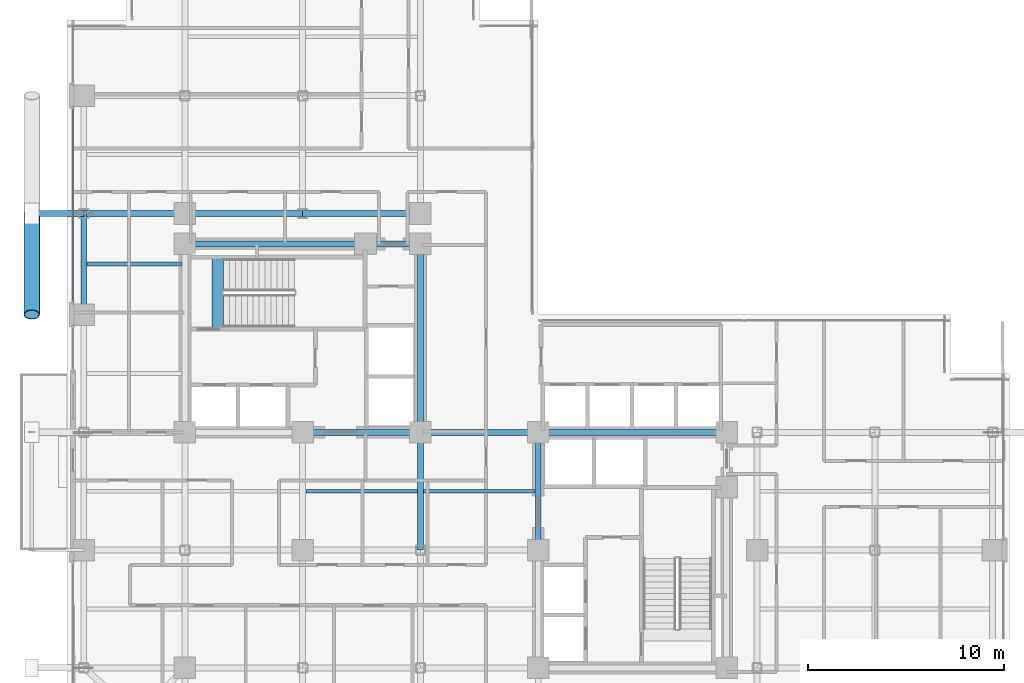
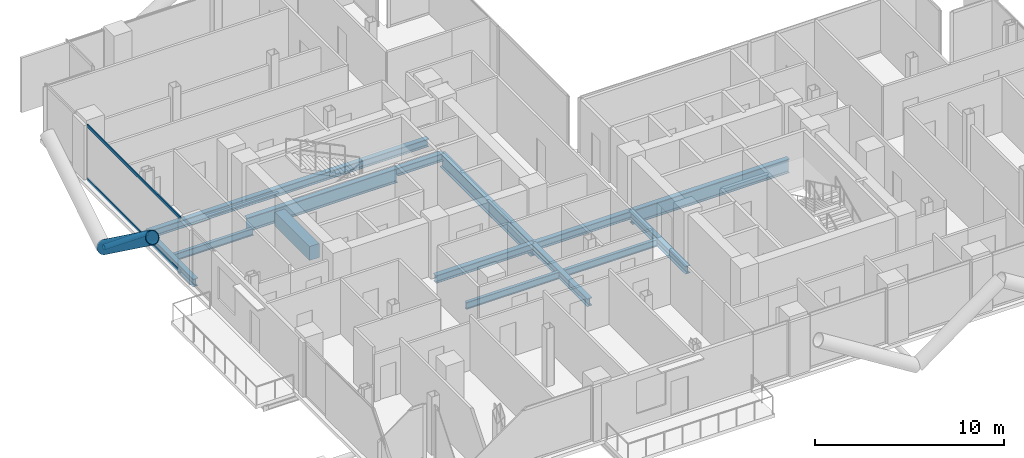
# One storey, part 7 of 24: 16 beams, 4 members, 1 element without a shape of its own.
"""IFC4 building model written with IfcOpenShell, lengths in metres."""

from ifc_helpers import new_model, si_unit, direction, frame, origin, origin_2d, place, context, subcontext, project, spatial, rectangle, hollow_rectangle, hollow_circle, i_section, extrude, material, layer, layer_set, material_profile, profile_set, type_object, element, aggregate, save


model = new_model("IFC4")

# Units and contexts
model_context = context("Model", 3, precision=1e-05, world=origin(), true_north=direction((0.0, 1.0)))
body_context = subcontext(model_context, "Body", "Model", "MODEL_VIEW")
ifc_project = project(units=[si_unit("LENGTHUNIT", "METRE"), si_unit("AREAUNIT", "SQUARE_METRE"), si_unit("VOLUMEUNIT", "CUBIC_METRE"), si_unit("PLANEANGLEUNIT", "RADIAN"), si_unit("MASSUNIT", "GRAM", prefix="KILO"), si_unit("THERMODYNAMICTEMPERATUREUNIT", "KELVIN"), si_unit("POWERUNIT", "WATT")], contexts=[model_context])

# Site, building, storey
site_placement = place(None, origin())
site = spatial("IfcSite", under=ifc_project, at=site_placement, CompositionType="ELEMENT")
building_placement = place(site_placement, origin())
building = spatial("IfcBuilding", under=site, at=building_placement, Name="Svarakhadi Broadcast Tower", CompositionType="ELEMENT")
storey_placement = place(building_placement, frame((0.0, 0.0, 156.89990234375)))
storey = spatial("IfcBuildingStorey", under=building, at=storey_placement, Name="L38", CompositionType="ELEMENT", Elevation=156.89990234375)

# Beams
ifc_material_1 = material(Name="Steel S355J2 (IS 2062 E350C)", Category="steel")
ifc_material_profile_1 = material_profile(ifc_material_1, i_section(OverallWidth=0.18994140625, OverallDepth=0.449951171875, WebThickness=0.009521484375, FlangeThickness=0.0146484375, FilletRadius=0.02099609375, at=origin_2d()), Name="NPB 450x190x78")
ifc_profile_set_1 = profile_set([ifc_material_profile_1], Name="Steel S355J2 (IS 2062 E350C)")
beam_type_1 = type_object("IfcBeamType", Name="Beam_NPB450", PredefinedType="BEAM", material=ifc_profile_set_1)
beam_1_placement = place(storey_placement, frame((1.010009765625, 26.574951171875, -0.449951171875), z_axis=(1.0, 0.0, 0.0), x_axis=(0.0, 1.0, 0.0)))
element("IfcBeam", 1, at=beam_1_placement, inside=storey, type_object=beam_type_1, Name="L38 Secondary Composite Beam SB004", PredefinedType="BEAM", context=body_context, shape_type="SweptSolid", body=[
    extrude(i_section(OverallWidth=0.18994140625, OverallDepth=0.449951171875, WebThickness=0.009521484375, FlangeThickness=0.0146484375, FilletRadius=0.02099609375, at=origin_2d()), origin(), (0.0, 0.0, 1.0), 4.830078125),
])
for number, where, z_axis, x_axis, name in (
    (2, (12.159912109375, 15.0, -0.449951171875), (1.0, 0.0, 0.0), (0.0, 1.0, 0.0), "L38 Secondary Composite Beam SB013"),
    (3, (18.159912109375, 15.0, -0.449951171875), (1.0, 0.0, 0.0), (0.0, 1.0, 0.0), "L38 Secondary Composite Beam SB018"),
):
    element("IfcBeam", number, at=place(storey_placement, frame(where, z_axis=z_axis, x_axis=x_axis)), inside=storey, type_object=beam_type_1, Name=name, PredefinedType="BEAM", context=body_context, shape_type="SweptSolid", body=[
        extrude(i_section(OverallWidth=0.18994140625, OverallDepth=0.449951171875, WebThickness=0.009521484375, FlangeThickness=0.0146484375, FilletRadius=0.02099609375, at=origin_2d()), origin(), (0.0, 0.0, 1.0), 5.68017578125),
    ])

# Curtain wall, members
ifc_material_2 = material(Name="Anodised Bronze Aluminium AA 6063-T6", Category="aluminium")
ifc_layer = layer(ifc_material_2, 0.199951171875)
ifc_layer_set = layer_set([ifc_layer], Name="Anodised Bronze Aluminium AA 6063-T6")
curtain_wall_type = type_object("IfcCurtainWallType", Name="CW_Sys_03", PredefinedType="NOTDEFINED", material=ifc_layer_set)
curtain_wall_placement = place(storey_placement, origin())
curtain_wall = element("IfcCurtainWall", 4, at=curtain_wall_placement, inside=storey, type_object=curtain_wall_type, Name="L38 West Curtain Wall 03 Bay 2", PredefinedType="NOTDEFINED")
ifc_material_profile_2 = material_profile(ifc_material_2, hollow_rectangle(XDim=0.070068359375, YDim=0.18505859375, WallThickness=0.0048828125, at=origin_2d()), Name="ALU TRANSOM 185x70x5")
ifc_profile_set_2 = profile_set([ifc_material_profile_2], Name="Anodised Bronze Aluminium AA 6063-T6")
member_type_1 = type_object("IfcMemberType", Name="CW_Sys_03_Trn", PredefinedType="USERDEFINED", material=ifc_profile_set_2)
member_1_placement = place(storey_placement, frame((0.300048828125, 24.64501953125, 0.03515625), z_axis=(0.0, 1.0, 0.0), x_axis=(-1.0, 0.0, 0.0)))
member_1 = element("IfcMember", 5, at=member_1_placement, type_object=member_type_1, Name="CW-03 transom 1.1", ObjectType="TRANSOM", PredefinedType="USERDEFINED", context=body_context, shape_type="SweptSolid", body=[
    extrude(hollow_rectangle(XDim=0.070068359375, YDim=0.18505859375, WallThickness=0.0048828125, at=origin_2d()), origin(), (0.0, 0.0, 1.0), 9.85986328125),
])
member_2_placement = place(storey_placement, frame((0.300048828125, 24.64501953125, 3.489990234375), z_axis=(0.0, 1.0, 0.0), x_axis=(-1.0, 0.0, 0.0)))
member_2 = element("IfcMember", 6, at=member_2_placement, type_object=member_type_1, Name="CW-03 transom 1.2", ObjectType="TRANSOM", PredefinedType="USERDEFINED", context=body_context, shape_type="SweptSolid", body=[
    extrude(hollow_rectangle(XDim=0.070068359375, YDim=0.18505859375, WallThickness=0.0048828125, at=origin_2d()), origin(), (0.0, 0.0, 1.0), 9.85986328125),
])
aggregate(curtain_wall, [member_1, member_2])

# Beam
ifc_material_3 = material(Name="Concrete C50/60 (IS 456 M60)", Category="concrete")
ifc_material_profile_3 = material_profile(ifc_material_3, rectangle(XDim=0.60009765625, YDim=0.89990234375, at=origin_2d()), Name="RC 600x900")
ifc_profile_set_3 = profile_set([ifc_material_profile_3], Name="Concrete C50/60 (IS 456 M60)")
beam_type_2 = type_object("IfcBeamType", Name="Coupling_RC600", PredefinedType="USERDEFINED", material=ifc_profile_set_3)
beam_2_placement = place(storey_placement, frame((7.679931640625, 23.260009765625, -0.449951171875), z_axis=(0.0, 1.0, 0.0), x_axis=(-1.0, 0.0, 0.0)))
element("IfcBeam", 7, at=beam_2_placement, inside=storey, type_object=beam_type_2, Name="L38 Stair ST-01 Landing Throat Trimmer Beam CB-01", ObjectType="GIRDER", PredefinedType="USERDEFINED", context=body_context, shape_type="SweptSolid", body=[
    extrude(rectangle(XDim=0.60009765625, YDim=0.89990234375, at=origin_2d()), origin(), (0.0, 0.0, 1.0), 3.679931640625),
])

# Members
ifc_material_4 = material(Name="Steel S460ML (IS 2062 E450BR)", Category="steel")
ifc_material_profile_4 = material_profile(ifc_material_4, hollow_circle(Radius=0.406494140625, WallThickness=0.0400390625, at=origin_2d()), Name="CHS 813x40")
ifc_profile_set_4 = profile_set([ifc_material_profile_4], Name="Steel S460ML (IS 2062 E450BR)")
member_type_2 = type_object("IfcMemberType", Name="Exo_Brace_CHS813", PredefinedType="BRACE", material=ifc_profile_set_4)
member_3_placement = place(storey_placement, frame((-1.800048828125, 29.14990234375, -0.386962890625), z_axis=(0.0, -0.808391243061, 0.588645562407), x_axis=(1.0, 0.0, 0.0)))
element("IfcMember", 8, at=member_3_placement, inside=storey, type_object=member_type_2, Name="L38 Exposed Bronze Exoskeleton Diagonal W04", PredefinedType="BRACE", context=body_context, shape_type="SweptSolid", body=[
    extrude(hollow_circle(Radius=0.406494140625, WallThickness=0.0400390625, at=origin_2d()), origin(), (0.0, 0.0, 1.0), 6.37060546875),
])
ifc_material_profile_5 = material_profile(ifc_material_4, hollow_circle(Radius=0.161865234375, WallThickness=0.01611328125, at=origin_2d()), Name="CHS 323.9x16")
ifc_profile_set_5 = profile_set([ifc_material_profile_5], Name="Steel S460ML (IS 2062 E450BR)")
member_type_3 = type_object("IfcMemberType", Name="Exo_Radial_Strut_Z2", PredefinedType="STRUT", material=ifc_profile_set_5)
member_4_placement = place(storey_placement, frame((-1.800048828125, 29.14990234375, -0.386962890625), z_axis=(1.0, 0.0, 0.0), x_axis=(0.0, 1.0, 0.0)))
element("IfcMember", 9, at=member_4_placement, inside=storey, type_object=member_type_3, Name="L38 Exoskeleton Radial Tie Strut W07", PredefinedType="STRUT", context=body_context, shape_type="SweptSolid", body=[
    extrude(hollow_circle(Radius=0.161865234375, WallThickness=0.01611328125, at=origin_2d()), origin(), (0.0, 0.0, 1.0), 2.650146484375),
])

# Beams
ifc_material_profile_6 = material_profile(ifc_material_1, i_section(OverallWidth=0.300048828125, OverallDepth=0.5, WebThickness=0.014404296875, FlangeThickness=0.028076171875, FilletRadius=0.027099609375, at=origin_2d()), Name="WPB 500x300x187")
ifc_profile_set_6 = profile_set([ifc_material_profile_6], Name="Steel S355J2 (IS 2062 E350C)")
beam_type_3 = type_object("IfcBeamType", Name="Girder_WPB500", PredefinedType="USERDEFINED", material=ifc_profile_set_6)
for number, where, z_axis, x_axis, name in (
    (10, (12.0, 18.0, -0.474853515625), (1.0, 0.0, 0.0), (0.0, 1.0, 0.0), "L38 Primary E-W Girder G025"),
    (11, (18.0, 18.0, -0.474853515625), (1.0, 0.0, 0.0), (0.0, 1.0, 0.0), "L38 Primary E-W Girder G026"),
):
    element("IfcBeam", number, at=place(storey_placement, frame(where, z_axis=z_axis, x_axis=x_axis)), inside=storey, type_object=beam_type_3, Name=name, ObjectType="GIRDER", PredefinedType="USERDEFINED", context=body_context, shape_type="SweptSolid", body=[
        extrude(i_section(OverallWidth=0.300048828125, OverallDepth=0.5, WebThickness=0.014404296875, FlangeThickness=0.028076171875, FilletRadius=0.027099609375, at=origin_2d()), origin(), (0.0, 0.0, 1.0), 6.0),
    ])
beam_3_placement = place(storey_placement, frame((15.199951171875, 27.60009765625, -0.474853515625), z_axis=(1.0, 0.0, 0.0), x_axis=(0.0, 1.0, 0.0)))
element("IfcBeam", 12, at=beam_3_placement, inside=storey, type_object=beam_type_3, Name="L38 Primary E-W Girder G031", ObjectType="GIRDER", PredefinedType="USERDEFINED", context=body_context, shape_type="SweptSolid", body=[
    extrude(i_section(OverallWidth=0.300048828125, OverallDepth=0.5, WebThickness=0.014404296875, FlangeThickness=0.028076171875, FilletRadius=0.027099609375, at=origin_2d()), origin(), (0.0, 0.0, 1.0), 2.800048828125),
])
beam_4_placement = place(storey_placement, frame((0.85009765625, 29.14990234375, -0.474853515625), z_axis=(1.0, 0.0, 0.0), x_axis=(0.0, 1.0, 0.0)))
element("IfcBeam", 13, at=beam_4_placement, inside=storey, type_object=beam_type_3, Name="L38 Primary E-W Girder G032", ObjectType="GIRDER", PredefinedType="USERDEFINED", context=body_context, shape_type="SweptSolid", body=[
    extrude(i_section(OverallWidth=0.300048828125, OverallDepth=0.5, WebThickness=0.014404296875, FlangeThickness=0.028076171875, FilletRadius=0.027099609375, at=origin_2d()), origin(), (0.0, 0.0, 1.0), 5.14990234375),
])
for number, where, z_axis, x_axis, name in (
    (14, (6.0, 29.14990234375, -0.474853515625), (1.0, 0.0, 0.0), (0.0, 1.0, 0.0), "L38 Primary E-W Girder G033"),
    (15, (12.0, 29.14990234375, -0.474853515625), (1.0, 0.0, 0.0), (0.0, 1.0, 0.0), "L38 Primary E-W Girder G034"),
):
    element("IfcBeam", number, at=place(storey_placement, frame(where, z_axis=z_axis, x_axis=x_axis)), inside=storey, type_object=beam_type_3, Name=name, ObjectType="GIRDER", PredefinedType="USERDEFINED", context=body_context, shape_type="SweptSolid", body=[
        extrude(i_section(OverallWidth=0.300048828125, OverallDepth=0.5, WebThickness=0.014404296875, FlangeThickness=0.028076171875, FilletRadius=0.027099609375, at=origin_2d()), origin(), (0.0, 0.0, 1.0), 6.0),
    ])
beam_5_placement = place(storey_placement, frame((0.85009765625, 24.0, -0.474853515625), z_axis=(0.0, 1.0, 0.0), x_axis=(-1.0, 0.0, 0.0)))
element("IfcBeam", 16, at=beam_5_placement, inside=storey, type_object=beam_type_3, Name="L38 Primary N-S Girder G043", ObjectType="GIRDER", PredefinedType="USERDEFINED", context=body_context, shape_type="SweptSolid", body=[
    extrude(i_section(OverallWidth=0.300048828125, OverallDepth=0.5, WebThickness=0.014404296875, FlangeThickness=0.028076171875, FilletRadius=0.027099609375, at=origin_2d()), origin(), (0.0, 0.0, 1.0), 5.14990234375),
])
for number, where, z_axis, x_axis, name in (
    (17, (18.0, 12.0, -0.474853515625), (0.0, 1.0, 0.0), (-1.0, 0.0, 0.0), "L38 Primary N-S Girder G058"),
    (18, (24.0, 12.0, -0.474853515625), (0.0, 1.0, 0.0), (-1.0, 0.0, 0.0), "L38 Primary N-S Girder G064"),
):
    element("IfcBeam", number, at=place(storey_placement, frame(where, z_axis=z_axis, x_axis=x_axis)), inside=storey, type_object=beam_type_3, Name=name, ObjectType="GIRDER", PredefinedType="USERDEFINED", context=body_context, shape_type="SweptSolid", body=[
        extrude(i_section(OverallWidth=0.300048828125, OverallDepth=0.5, WebThickness=0.014404296875, FlangeThickness=0.028076171875, FilletRadius=0.027099609375, at=origin_2d()), origin(), (0.0, 0.0, 1.0), 6.0),
    ])
ifc_material_profile_7 = material_profile(ifc_material_4, i_section(OverallWidth=0.300048828125, OverallDepth=0.89990234375, WebThickness=0.0185546875, FlangeThickness=0.034912109375, FilletRadius=0.030029296875, at=origin_2d()), Name="WPB 900x300x291")
ifc_profile_set_7 = profile_set([ifc_material_profile_7], Name="Steel S460ML (IS 2062 E450BR)")
beam_type_4 = type_object("IfcBeamType", Name="Girder_WPB900", PredefinedType="USERDEFINED", material=ifc_profile_set_7)
beam_6_placement = place(storey_placement, frame((24.0, 18.0, -0.6748046875), z_axis=(1.0, 0.0, 0.0), x_axis=(0.0, 1.0, 0.0)))
element("IfcBeam", 19, at=beam_6_placement, inside=storey, type_object=beam_type_4, Name="L38 Primary E-W Girder G027", ObjectType="GIRDER", PredefinedType="USERDEFINED", context=body_context, shape_type="SweptSolid", body=[
    extrude(i_section(OverallWidth=0.300048828125, OverallDepth=0.89990234375, WebThickness=0.0185546875, FlangeThickness=0.034912109375, FilletRadius=0.030029296875, at=origin_2d()), origin(), (0.0, 0.0, 1.0), 9.60009765625),
])
beam_7_placement = place(storey_placement, frame((6.0, 27.60009765625, -0.6748046875), z_axis=(1.0, 0.0, 0.0), x_axis=(0.0, 1.0, 0.0)))
element("IfcBeam", 20, at=beam_7_placement, inside=storey, type_object=beam_type_4, Name="L38 Primary E-W Girder G030", ObjectType="GIRDER", PredefinedType="USERDEFINED", context=body_context, shape_type="SweptSolid", body=[
    extrude(i_section(OverallWidth=0.300048828125, OverallDepth=0.89990234375, WebThickness=0.0185546875, FlangeThickness=0.034912109375, FilletRadius=0.030029296875, at=origin_2d()), origin(), (0.0, 0.0, 1.0), 9.199951171875),
])
beam_8_placement = place(storey_placement, frame((18.0, 18.0, -0.6748046875), z_axis=(0.0, 1.0, 0.0), x_axis=(-1.0, 0.0, 0.0)))
element("IfcBeam", 21, at=beam_8_placement, inside=storey, type_object=beam_type_4, Name="L38 Primary N-S Girder G059", ObjectType="GIRDER", PredefinedType="USERDEFINED", context=body_context, shape_type="SweptSolid", body=[
    extrude(i_section(OverallWidth=0.300048828125, OverallDepth=0.89990234375, WebThickness=0.0185546875, FlangeThickness=0.034912109375, FilletRadius=0.030029296875, at=origin_2d()), origin(), (0.0, 0.0, 1.0), 9.60009765625),
])

save(model, "model.ifc")
